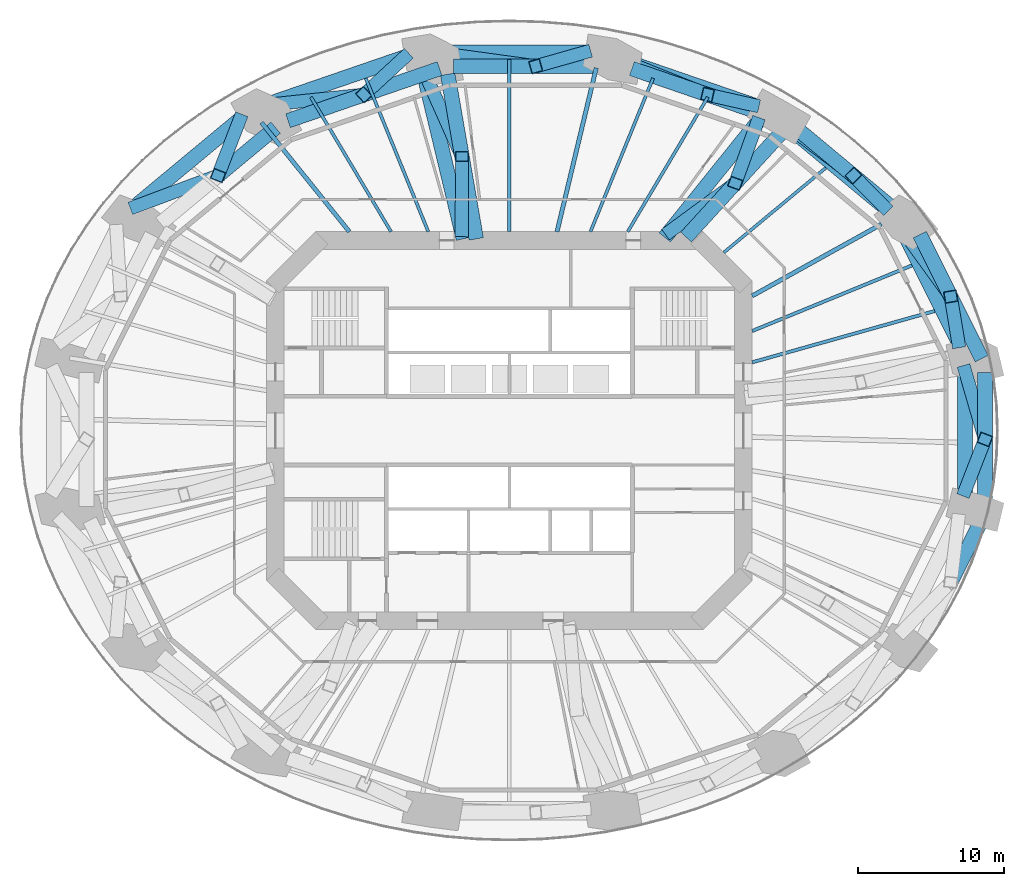
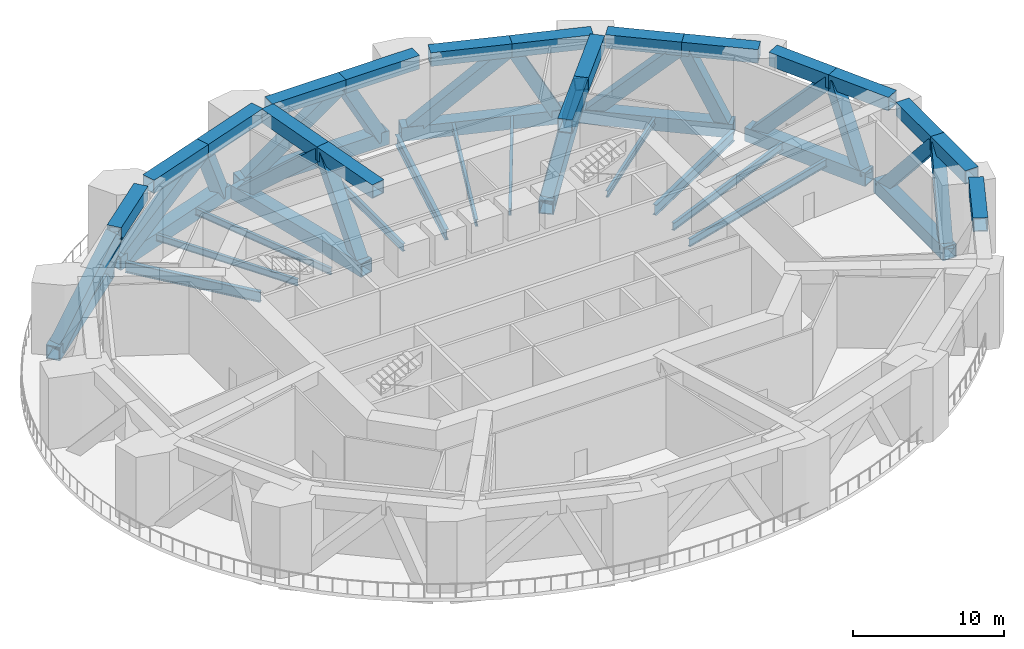
# One storey, part 3 of 12: 45 members, 11 beams.
"""IFC4 building model written with IfcOpenShell, lengths in metres."""

from ifc_helpers import new_model, si_unit, direction, frame, origin, origin_2d, place, context, subcontext, project, spatial, hollow_rectangle, i_section, extrude, material, material_profile, profile_set, type_object, element, save


model = new_model("IFC4")

# Units and contexts
model_context = context("Model", 3, precision=1e-05, world=origin(), true_north=direction((0.0, 1.0)))
body_context = subcontext(model_context, "Body", "Model", "MODEL_VIEW")
ifc_project = project(units=[si_unit("LENGTHUNIT", "METRE"), si_unit("AREAUNIT", "SQUARE_METRE"), si_unit("VOLUMEUNIT", "CUBIC_METRE"), si_unit("PLANEANGLEUNIT", "RADIAN"), si_unit("MASSUNIT", "GRAM", prefix="KILO")], contexts=[model_context])

# Site, building, storey
site_placement = place(None, origin())
site = spatial("IfcSite", under=ifc_project, at=site_placement, CompositionType="ELEMENT")
building_placement = place(site_placement, origin())
building = spatial("IfcBuilding", under=site, at=building_placement, Name="Marenthal Gate Tower", CompositionType="ELEMENT")
storey_placement = place(building_placement, frame((0.0, 0.0, 149.64990234375)))
storey = spatial("IfcBuildingStorey", under=building, at=storey_placement, Name="L32", CompositionType="ELEMENT", Elevation=149.64990234375)

# Beams
ifc_material_1 = material(Name="Steel S355", Category="steel")
ifc_material_profile_1 = material_profile(ifc_material_1, i_section(OverallWidth=0.2099609375, OverallDepth=0.535888671875, WebThickness=0.010986328125, FlangeThickness=0.017333984375, FilletRadius=0.0126953125, at=origin_2d()), Name="W530X101")
ifc_profile_set_1 = profile_set([ifc_material_profile_1], Name="Steel S355")
beam_type_1 = type_object("IfcBeamType", Name="W530X101 beam", PredefinedType="BEAM", material=ifc_profile_set_1)
beam_1_placement = place(storey_placement, frame((21.63623046875, 17.968017578125, -0.56787109375), z_axis=(-0.769315904911, -0.638868561169, 0.0), x_axis=(0.638868561169, -0.769315904911, 0.0)))
element("IfcBeam", 1, at=beam_1_placement, inside=storey, type_object=beam_type_1, Name="BM-L32-11", PredefinedType="BEAM", context=body_context, shape_type="SweptSolid", body=[
    extrude(i_section(OverallWidth=0.2099609375, OverallDepth=0.535888671875, WebThickness=0.010986328125, FlangeThickness=0.017333984375, FilletRadius=0.0126953125, at=origin_2d()), origin(), (0.0, 0.0, 1.0), 9.058349609375),
])
ifc_material_2 = material(Name="Steel S355", Category="steel")
ifc_material_profile_2 = material_profile(ifc_material_2, i_section(OverallWidth=0.2119140625, OverallDepth=0.5439453125, WebThickness=0.01318359375, FlangeThickness=0.021240234375, FilletRadius=0.0126953125, at=origin_2d()), Name="W530X123")
ifc_profile_set_2 = profile_set([ifc_material_profile_2], Name="Steel S355")
beam_type_2 = type_object("IfcBeamType", Name="W530X123 beam", PredefinedType="BEAM", material=ifc_profile_set_2)
beam_2_placement = place(storey_placement, frame((13.568359375, 22.8056640625, -0.572021484375), z_axis=(-0.511314756252, -0.859393518732, 0.0), x_axis=(0.859393518732, -0.511314756252, 0.0)))
element("IfcBeam", 2, at=beam_2_placement, inside=storey, type_object=beam_type_2, Name="BM-L32-12", PredefinedType="BEAM", context=body_context, shape_type="SweptSolid", body=[
    extrude(i_section(OverallWidth=0.2119140625, OverallDepth=0.5439453125, WebThickness=0.01318359375, FlangeThickness=0.021240234375, FilletRadius=0.0126953125, at=origin_2d()), origin(), (0.0, 0.0, 1.0), 10.711669921875),
])
for number, where, z_axis, x_axis, name in (
    (3, (9.823974609375, 24.09375, -0.572021484375), (-0.377552126987, -0.92598833222, 0.0), (0.92598833222, -0.377552126987, 0.0), "BM-L32-13"),
    (4, (-9.823974609375, 24.09375, -0.572021484375), (0.377552126987, -0.92598833222, 0.0), (0.92598833222, 0.377552126987, 0.0), "BM-L32-15"),
):
    element("IfcBeam", number, at=place(storey_placement, frame(where, z_axis=z_axis, x_axis=x_axis)), inside=storey, type_object=beam_type_2, Name=name, PredefinedType="BEAM", context=body_context, shape_type="SweptSolid", body=[
        extrude(i_section(OverallWidth=0.2119140625, OverallDepth=0.5439453125, WebThickness=0.01318359375, FlangeThickness=0.021240234375, FilletRadius=0.0126953125, at=origin_2d()), origin(), (0.0, 0.0, 1.0), 11.332275390625),
    ])
beam_3_placement = place(storey_placement, frame((-13.568359375, 22.8056640625, -0.572021484375), z_axis=(0.511314756252, -0.859393518732, 0.0), x_axis=(0.859393518732, 0.511314756252, 0.0)))
element("IfcBeam", 5, at=beam_3_placement, inside=storey, type_object=beam_type_2, Name="BM-L32-16", PredefinedType="BEAM", context=body_context, shape_type="SweptSolid", body=[
    extrude(i_section(OverallWidth=0.2119140625, OverallDepth=0.5439453125, WebThickness=0.01318359375, FlangeThickness=0.021240234375, FilletRadius=0.0126953125, at=origin_2d()), origin(), (0.0, 0.0, 1.0), 10.711669921875),
])
ifc_material_3 = material(Name="Steel S355", Category="steel")
ifc_material_profile_3 = material_profile(ifc_material_3, i_section(OverallWidth=0.22900390625, OverallDepth=0.612060546875, WebThickness=0.011962890625, FlangeThickness=0.01953125, FilletRadius=0.0126953125, at=origin_2d()), Name="W610X125")
ifc_profile_set_3 = profile_set([ifc_material_profile_3], Name="Steel S355")
beam_type_3 = type_object("IfcBeamType", Name="W610X125 beam", PredefinedType="BEAM", material=ifc_profile_set_3)
beam_4_placement = place(storey_placement, frame((29.080810546875, 8.177490234375, -0.60595703125), z_axis=(-0.962664589347, -0.270697041761, 0.0), x_axis=(0.270697041761, -0.962664589347, 0.0)))
element("IfcBeam", 6, at=beam_4_placement, inside=storey, type_object=beam_type_3, Name="BM-L32-09", PredefinedType="BEAM", context=body_context, shape_type="SweptSolid", body=[
    extrude(i_section(OverallWidth=0.22900390625, OverallDepth=0.612060546875, WebThickness=0.011962890625, FlangeThickness=0.01953125, FilletRadius=0.0126953125, at=origin_2d()), origin(), (0.0, 0.0, 1.0), 12.96484375),
])
beam_5_placement = place(storey_placement, frame((27.526123046875, 11.29443359375, -0.60595703125), z_axis=(-0.925148328631, -0.379605808743, 0.0), x_axis=(0.379605808743, -0.925148328631, 0.0)))
element("IfcBeam", 7, at=beam_5_placement, inside=storey, type_object=beam_type_3, Name="BM-L32-10", PredefinedType="BEAM", context=body_context, shape_type="SweptSolid", body=[
    extrude(i_section(OverallWidth=0.22900390625, OverallDepth=0.612060546875, WebThickness=0.011962890625, FlangeThickness=0.01953125, FilletRadius=0.0126953125, at=origin_2d()), origin(), (0.0, 0.0, 1.0), 11.81005859375),
])
beam_6_placement = place(storey_placement, frame((0.0, 25.3701171875, -0.60595703125), z_axis=(0.0, -1.0, 0.0), x_axis=(1.0, 0.0, 0.0)))
element("IfcBeam", 8, at=beam_6_placement, inside=storey, type_object=beam_type_3, Name="BM-L32-14", PredefinedType="BEAM", context=body_context, shape_type="SweptSolid", body=[
    extrude(i_section(OverallWidth=0.22900390625, OverallDepth=0.612060546875, WebThickness=0.011962890625, FlangeThickness=0.01953125, FilletRadius=0.0126953125, at=origin_2d()), origin(), (0.0, 0.0, 1.0), 11.77001953125),
])
ifc_material_4 = material(Name="Steel S355", Category="steel")
ifc_material_profile_4 = material_profile(ifc_material_4, i_section(OverallWidth=0.2919921875, OverallDepth=0.841064453125, WebThickness=0.0146484375, FlangeThickness=0.021728515625, FilletRadius=0.017822265625, at=origin_2d()), Name="W840X193")
ifc_profile_set_4 = profile_set([ifc_material_profile_4], Name="Steel S355")
beam_type_4 = type_object("IfcBeamType", Name="W840X193 beam", PredefinedType="BEAM", material=ifc_profile_set_4)
beam_7_placement = place(storey_placement, frame((25.43310546875, 14.11279296875, -0.720458984375), z_axis=(-0.87439315155, -0.485218112318, 0.0), x_axis=(0.485218112318, -0.87439315155, 0.0)))
element("IfcBeam", 9, at=beam_7_placement, inside=storey, type_object=beam_type_4, Name="BM-L32-01", PredefinedType="BEAM", context=body_context, shape_type="SweptSolid", body=[
    extrude(i_section(OverallWidth=0.2919921875, OverallDepth=0.841064453125, WebThickness=0.0146484375, FlangeThickness=0.021728515625, FilletRadius=0.017822265625, at=origin_2d()), origin(), (0.0, 0.0, 1.0), 10.101806640625),
])
beam_8_placement = place(storey_placement, frame((5.939697265625, 24.797607421875, -0.720458984375), z_axis=(-0.232939880808, -0.972491137198, 0.0), x_axis=(0.972491137198, -0.232939880808, 0.0)))
element("IfcBeam", 10, at=beam_8_placement, inside=storey, type_object=beam_type_4, Name="BM-L32-02", PredefinedType="BEAM", context=body_context, shape_type="SweptSolid", body=[
    extrude(i_section(OverallWidth=0.2919921875, OverallDepth=0.841064453125, WebThickness=0.0146484375, FlangeThickness=0.021728515625, FilletRadius=0.017822265625, at=origin_2d()), origin(), (0.0, 0.0, 1.0), 11.51416015625),
])
beam_9_placement = place(storey_placement, frame((-16.9462890625, 21.06201171875, -0.720458984375), z_axis=(0.626881112165, -0.779114928115, 0.0), x_axis=(0.779114928115, 0.626881112165, 0.0)))
element("IfcBeam", 11, at=beam_9_placement, inside=storey, type_object=beam_type_4, Name="BM-L32-03", PredefinedType="BEAM", context=body_context, shape_type="SweptSolid", body=[
    extrude(i_section(OverallWidth=0.2919921875, OverallDepth=0.841064453125, WebThickness=0.0146484375, FlangeThickness=0.021728515625, FilletRadius=0.017822265625, at=origin_2d()), origin(), (0.0, 0.0, 1.0), 9.577392578125),
])

# Members
ifc_material_5 = material(Name="Steel S460", Category="steel")
ifc_material_profile_5 = material_profile(ifc_material_5, hollow_rectangle(XDim=1.0, YDim=1.10009765625, WallThickness=0.070068359375, at=origin_2d()), Name="BOX 1100X1000X70")
ifc_profile_set_5 = profile_set([ifc_material_profile_5], Name="Steel S460")
member_type_1 = type_object("IfcMemberType", Name="belt chord BOX 1100X1000X70", PredefinedType="CHORD", material=ifc_profile_set_5)
member_1_placement = place(storey_placement, frame((30.916748046875, 5.616943359375, -0.849853515625), z_axis=(-0.446356728124, 0.89485511188, 0.0), x_axis=(-0.89485511188, -0.446356728124, 0.0)))
element("IfcMember", 12, at=member_1_placement, inside=storey, type_object=member_type_1, Name="BT-L32-01", PredefinedType="CHORD", context=body_context, shape_type="SweptSolid", body=[
    extrude(hollow_rectangle(XDim=1.0, YDim=1.10009765625, WallThickness=0.070068359375, at=origin_2d()), origin(), (0.0, 0.0, 1.0), 9.57568359375),
])
member_2_placement = place(storey_placement, frame((32.293701171875, 4.9228515625, 5.2001953125), z_axis=(-0.446286167884, 0.894890304091, 0.0), x_axis=(-0.894890304091, -0.446286167884, 0.0)))
element("IfcMember", 13, at=member_2_placement, inside=storey, type_object=member_type_1, Name="BT-L32-02", PredefinedType="CHORD", context=body_context, shape_type="SweptSolid", body=[
    extrude(hollow_rectangle(XDim=1.0, YDim=1.10009765625, WallThickness=0.070068359375, at=origin_2d()), origin(), (0.0, 0.0, 1.0), 4.73974609375),
])
member_3_placement = place(storey_placement, frame((30.178466796875, 9.164306640625, 5.2001953125), z_axis=(-0.446306845266, 0.894879991881, 0.0), x_axis=(-0.894879991881, -0.446306845266, 0.0)))
element("IfcMember", 14, at=member_3_placement, inside=storey, type_object=member_type_1, Name="BT-L32-03", PredefinedType="CHORD", context=body_context, shape_type="SweptSolid", body=[
    extrude(hollow_rectangle(XDim=1.0, YDim=1.10009765625, WallThickness=0.070068359375, at=origin_2d()), origin(), (0.0, 0.0, 1.0), 4.739990234375),
])
member_4_placement = place(storey_placement, frame((26.0087890625, 14.98681640625, -0.849853515625), z_axis=(-0.769308410826, 0.638877585326, 0.0), x_axis=(-0.638877585326, -0.769308410826, 0.0)))
element("IfcMember", 15, at=member_4_placement, inside=storey, type_object=member_type_1, Name="BT-L32-06", PredefinedType="CHORD", context=body_context, shape_type="SweptSolid", body=[
    extrude(hollow_rectangle(XDim=1.0, YDim=1.10009765625, WallThickness=0.070068359375, at=origin_2d()), origin(), (0.0, 0.0, 1.0), 10.35302734375),
])
member_5_placement = place(storey_placement, frame((27.460205078125, 14.16748046875, 5.2001953125), z_axis=(-0.76926712736, 0.6389272938, 0.0), x_axis=(-0.6389272938, -0.76926712736, 0.0)))
element("IfcMember", 16, at=member_5_placement, inside=storey, type_object=member_type_1, Name="BT-L32-07", PredefinedType="CHORD", context=body_context, shape_type="SweptSolid", body=[
    extrude(hollow_rectangle(XDim=1.0, YDim=1.10009765625, WallThickness=0.070068359375, at=origin_2d()), origin(), (0.0, 0.0, 1.0), 5.123046875),
])
member_6_placement = place(storey_placement, frame((23.519287109375, 17.440673828125, 5.2001953125), z_axis=(-0.769271096313, 0.638922515159, 0.0), x_axis=(-0.638922515159, -0.769271096313, 0.0)))
element("IfcMember", 17, at=member_6_placement, inside=storey, type_object=member_type_1, Name="BT-L32-08", PredefinedType="CHORD", context=body_context, shape_type="SweptSolid", body=[
    extrude(hollow_rectangle(XDim=1.0, YDim=1.10009765625, WallThickness=0.070068359375, at=origin_2d()), origin(), (0.0, 0.0, 1.0), 5.12255859375),
])
member_7_placement = place(storey_placement, frame((17.158447265625, 22.099365234375, -0.849853515625), z_axis=(-0.945616285836, 0.325284244871, 0.0), x_axis=(-0.325284244871, -0.945616285836, 0.0)))
element("IfcMember", 18, at=member_7_placement, inside=storey, type_object=member_type_1, Name="BT-L32-11", PredefinedType="CHORD", context=body_context, shape_type="SweptSolid", body=[
    extrude(hollow_rectangle(XDim=1.0, YDim=1.10009765625, WallThickness=0.070068359375, at=origin_2d()), origin(), (0.0, 0.0, 1.0), 11.078125),
])
member_8_placement = place(storey_placement, frame((18.736328125, 21.1875, 5.2001953125), z_axis=(-0.94559197138, 0.325354919528, 0.0), x_axis=(-0.325354919528, -0.94559197138, 0.0)))
element("IfcMember", 19, at=member_8_placement, inside=storey, type_object=member_type_1, Name="BT-L32-12", PredefinedType="CHORD", context=body_context, shape_type="SweptSolid", body=[
    extrude(hollow_rectangle(XDim=1.0, YDim=1.10009765625, WallThickness=0.070068359375, at=origin_2d()), origin(), (0.0, 0.0, 1.0), 5.47998046875),
])
member_9_placement = place(storey_placement, frame((13.554443359375, 22.970458984375, 5.2001953125), z_axis=(-0.945610391529, 0.32530137939, 0.0), x_axis=(-0.32530137939, -0.945610391529, 0.0)))
element("IfcMember", 20, at=member_9_placement, inside=storey, type_object=member_type_1, Name="BT-L32-13", PredefinedType="CHORD", context=body_context, shape_type="SweptSolid", body=[
    extrude(hollow_rectangle(XDim=1.0, YDim=1.10009765625, WallThickness=0.070068359375, at=origin_2d()), origin(), (0.0, 0.0, 1.0), 5.480224609375),
])
member_10_placement = place(storey_placement, frame((5.682861328125, 25.8701171875, -0.849853515625), z_axis=(-1.0, 0.0, 0.0), x_axis=(0.0, -1.0, 0.0)))
element("IfcMember", 21, at=member_10_placement, inside=storey, type_object=member_type_1, Name="BT-L32-16", PredefinedType="CHORD", context=body_context, shape_type="SweptSolid", body=[
    extrude(hollow_rectangle(XDim=1.0, YDim=1.10009765625, WallThickness=0.070068359375, at=origin_2d()), origin(), (0.0, 0.0, 1.0), 11.36572265625),
])
for number, where, z_axis, x_axis, name in (
    (22, (7.421875, 24.912109375, 5.2001953125), (-1.0, 0.0, 0.0), (0.0, -1.0, 0.0), "BT-L32-17"),
    (23, (1.800048828125, 24.912109375, 5.2001953125), (-1.0, 0.0, 0.0), (0.0, -1.0, 0.0), "BT-L32-18"),
):
    element("IfcMember", number, at=place(storey_placement, frame(where, z_axis=z_axis, x_axis=x_axis)), inside=storey, type_object=member_type_1, Name=name, PredefinedType="CHORD", context=body_context, shape_type="SweptSolid", body=[
        extrude(hollow_rectangle(XDim=1.0, YDim=1.10009765625, WallThickness=0.070068359375, at=origin_2d()), origin(), (0.0, 0.0, 1.0), 5.621826171875),
    ])
member_11_placement = place(storey_placement, frame((-6.682861328125, 25.702880859375, -0.849853515625), z_axis=(-0.945616285836, -0.325284244871, 0.0), x_axis=(0.325284244871, -0.945616285836, 0.0)))
element("IfcMember", 24, at=member_11_placement, inside=storey, type_object=member_type_1, Name="BT-L32-21", PredefinedType="CHORD", context=body_context, shape_type="SweptSolid", body=[
    extrude(hollow_rectangle(XDim=1.0, YDim=1.10009765625, WallThickness=0.070068359375, at=origin_2d()), origin(), (0.0, 0.0, 1.0), 11.078125),
])
for number, where, z_axis, x_axis, name in (
    (25, (-4.772216796875, 24.753173828125, 5.2001953125), (-0.945610391529, -0.32530137939, 0.0), (0.32530137939, -0.945610391529, 0.0), "BT-L32-22"),
    (26, (-9.954345703125, 22.970458984375, 5.2001953125), (-0.94559668705, -0.325341213866, 0.0), (0.325341213866, -0.94559668705, 0.0), "BT-L32-23"),
):
    element("IfcMember", number, at=place(storey_placement, frame(where, z_axis=z_axis, x_axis=x_axis)), inside=storey, type_object=member_type_1, Name=name, PredefinedType="CHORD", context=body_context, shape_type="SweptSolid", body=[
        extrude(hollow_rectangle(XDim=1.0, YDim=1.10009765625, WallThickness=0.070068359375, at=origin_2d()), origin(), (0.0, 0.0, 1.0), 5.480224609375),
    ])
member_12_placement = place(storey_placement, frame((-18.044189453125, 21.60107421875, -0.849853515625), z_axis=(-0.769308410826, -0.638877585326, 0.0), x_axis=(0.638877585326, -0.769308410826, 0.0)))
element("IfcMember", 27, at=member_12_placement, inside=storey, type_object=member_type_1, Name="BT-L32-26", PredefinedType="CHORD", context=body_context, shape_type="SweptSolid", body=[
    extrude(hollow_rectangle(XDim=1.0, YDim=1.10009765625, WallThickness=0.070068359375, at=origin_2d()), origin(), (0.0, 0.0, 1.0), 10.35302734375),
])
member_13_placement = place(storey_placement, frame((-15.978515625, 20.713623046875, 5.2001953125), z_axis=(-0.769290550876, -0.638899090884, 0.0), x_axis=(0.638899090884, -0.769290550876, 0.0)))
element("IfcMember", 28, at=member_13_placement, inside=storey, type_object=member_type_1, Name="BT-L32-27", PredefinedType="CHORD", context=body_context, shape_type="SweptSolid", body=[
    extrude(hollow_rectangle(XDim=1.0, YDim=1.10009765625, WallThickness=0.070068359375, at=origin_2d()), origin(), (0.0, 0.0, 1.0), 5.122802734375),
])
member_14_placement = place(storey_placement, frame((30.178466796875, -10.364501953125, 5.2001953125), z_axis=(0.446265596634, 0.894900562778, 0.0), x_axis=(-0.894900562778, 0.446265596634, 0.0)))
element("IfcMember", 29, at=member_14_placement, inside=storey, type_object=member_type_1, Name="BT-L32-73", PredefinedType="CHORD", context=body_context, shape_type="SweptSolid", body=[
    extrude(hollow_rectangle(XDim=1.0, YDim=1.10009765625, WallThickness=0.070068359375, at=origin_2d()), origin(), (0.0, 0.0, 1.0), 4.73974609375),
])
member_15_placement = place(storey_placement, frame((31.151611328125, -4.61767578125, -0.849853515625), z_axis=(0.0, 1.0, 0.0), x_axis=(-1.0, 0.0, 0.0)))
element("IfcMember", 30, at=member_15_placement, inside=storey, type_object=member_type_1, Name="BT-L32-76", PredefinedType="CHORD", context=body_context, shape_type="SweptSolid", body=[
    extrude(hollow_rectangle(XDim=1.0, YDim=1.10009765625, WallThickness=0.070068359375, at=origin_2d()), origin(), (0.0, 0.0, 1.0), 9.2353515625),
])
member_16_placement = place(storey_placement, frame((32.51708984375, -5.172119140625, 5.2001953125), z_axis=(0.0, 1.0, 0.0), x_axis=(-1.0, 0.0, 0.0)))
element("IfcMember", 31, at=member_16_placement, inside=storey, type_object=member_type_1, Name="BT-L32-77", PredefinedType="CHORD", context=body_context, shape_type="SweptSolid", body=[
    extrude(hollow_rectangle(XDim=1.0, YDim=1.10009765625, WallThickness=0.070068359375, at=origin_2d()), origin(), (0.0, 0.0, 1.0), 4.572021484375),
])
member_17_placement = place(storey_placement, frame((32.51708984375, -0.60009765625, 5.2001953125), z_axis=(0.0, 1.0, 0.0), x_axis=(-1.0, 0.0, 0.0)))
element("IfcMember", 32, at=member_17_placement, inside=storey, type_object=member_type_1, Name="BT-L32-78", PredefinedType="CHORD", context=body_context, shape_type="SweptSolid", body=[
    extrude(hollow_rectangle(XDim=1.0, YDim=1.10009765625, WallThickness=0.070068359375, at=origin_2d()), origin(), (0.0, 0.0, 1.0), 4.572265625),
])
ifc_material_6 = material(Name="Steel S355", Category="steel")
ifc_material_profile_6 = material_profile(ifc_material_6, hollow_rectangle(XDim=0.89990234375, YDim=0.89990234375, WallThickness=0.050048828125, at=origin_2d()), Name="BOX 900X900X50")
ifc_profile_set_6 = profile_set([ifc_material_profile_6], Name="Steel S355")
member_type_2 = type_object("IfcMemberType", Name="belt diagonal BOX 900X900X50", PredefinedType="BRACE", material=ifc_profile_set_6)
member_18_placement = place(storey_placement, frame((30.693603515625, 6.064453125, -0.849853515625), z_axis=(-0.075561557481, 0.45469435798, 0.887436472009), x_axis=(-0.986471506956, -0.1639328093, 0.0)))
element("IfcMember", 33, at=member_18_placement, inside=storey, type_object=member_type_2, Name="BT-L32-04", PredefinedType="BRACE", context=body_context, shape_type="SweptSolid", body=[
    extrude(hollow_rectangle(XDim=0.89990234375, YDim=0.89990234375, WallThickness=0.050048828125, at=origin_2d()), origin(), (0.0, 0.0, 1.0), 6.8173828125),
])
member_19_placement = place(storey_placement, frame((30.178466796875, 9.164306640625, 5.2001953125), z_axis=(-0.400239678178, 0.552659962461, -0.731009689337), x_axis=(-0.809915919653, -0.586545994014, 0.0)))
element("IfcMember", 34, at=member_19_placement, inside=storey, type_object=member_type_2, Name="BT-L32-05", PredefinedType="BRACE", context=body_context, shape_type="SweptSolid", body=[
    extrude(hollow_rectangle(XDim=0.89990234375, YDim=0.89990234375, WallThickness=0.050048828125, at=origin_2d()), origin(), (0.0, 0.0, 1.0), 8.2763671875),
])
member_20_placement = place(storey_placement, frame((25.6240234375, 15.30615234375, -0.849853515625), z_axis=(-0.311721508763, 0.316132832747, 0.896041144722), x_axis=(-0.71205736008, -0.702121297181, 0.0)))
element("IfcMember", 35, at=member_20_placement, inside=storey, type_object=member_type_2, Name="BT-L32-09", PredefinedType="BRACE", context=body_context, shape_type="SweptSolid", body=[
    extrude(hollow_rectangle(XDim=0.89990234375, YDim=0.89990234375, WallThickness=0.050048828125, at=origin_2d()), origin(), (0.0, 0.0, 1.0), 6.751953125),
])
member_21_placement = place(storey_placement, frame((23.519287109375, 17.440673828125, 5.2001953125), z_axis=(-0.579096007636, 0.436946685474, -0.688277130227), x_axis=(-0.602313015007, -0.798260002727, 0.0)))
element("IfcMember", 36, at=member_21_placement, inside=storey, type_object=member_type_2, Name="BT-L32-10", PredefinedType="BRACE", context=body_context, shape_type="SweptSolid", body=[
    extrude(hollow_rectangle(XDim=0.89990234375, YDim=0.89990234375, WallThickness=0.050048828125, at=origin_2d()), origin(), (0.0, 0.0, 1.0), 8.7900390625),
])
member_22_placement = place(storey_placement, frame((16.685791015625, 22.261962890625, -0.849853515625), z_axis=(-0.457190017806, 0.103443429882, 0.883332748421), x_axis=(-0.220680977737, -0.975346044266, 0.0)))
element("IfcMember", 37, at=member_22_placement, inside=storey, type_object=member_type_2, Name="BT-L32-14", PredefinedType="BRACE", context=body_context, shape_type="SweptSolid", body=[
    extrude(hollow_rectangle(XDim=0.89990234375, YDim=0.89990234375, WallThickness=0.050048828125, at=origin_2d()), origin(), (0.0, 0.0, 1.0), 6.84912109375),
])
member_23_placement = place(storey_placement, frame((13.554443359375, 22.970458984375, 5.2001953125), z_axis=(-0.697543663755, 0.280135238637, -0.659512763507), x_axis=(-0.372672224785, -0.927963044994, 0.0)))
element("IfcMember", 38, at=member_23_placement, inside=storey, type_object=member_type_2, Name="BT-L32-15", PredefinedType="BRACE", context=body_context, shape_type="SweptSolid", body=[
    extrude(hollow_rectangle(XDim=0.89990234375, YDim=0.89990234375, WallThickness=0.050048828125, at=origin_2d()), origin(), (0.0, 0.0, 1.0), 9.173583984375),
])
member_24_placement = place(storey_placement, frame((5.182861328125, 25.8701171875, -0.849853515625), z_axis=(-0.48343511752, -0.136908155395, 0.864607797868), x_axis=(0.272482581435, -0.962160715689, 0.0)))
element("IfcMember", 39, at=member_24_placement, inside=storey, type_object=member_type_2, Name="BT-L32-19", PredefinedType="BRACE", context=body_context, shape_type="SweptSolid", body=[
    extrude(hollow_rectangle(XDim=0.89990234375, YDim=0.89990234375, WallThickness=0.050048828125, at=origin_2d()), origin(), (0.0, 0.0, 1.0), 6.99755859375),
])
member_25_placement = place(storey_placement, frame((1.800048828125, 24.912109375, 5.2001953125), z_axis=(-0.75175546532, 0.103135740365, -0.651326906723), x_axis=(-0.135920024624, -0.990719812513, 0.0)))
element("IfcMember", 40, at=member_25_placement, inside=storey, type_object=member_type_2, Name="BT-L32-20", PredefinedType="BRACE", context=body_context, shape_type="SweptSolid", body=[
    extrude(hollow_rectangle(XDim=0.89990234375, YDim=0.89990234375, WallThickness=0.050048828125, at=origin_2d()), origin(), (0.0, 0.0, 1.0), 9.288818359375),
])
member_26_placement = place(storey_placement, frame((-7.155517578125, 25.540283203125, -0.849853515625), z_axis=(-0.391758707192, -0.359704479405, 0.84683989209), x_axis=(0.676329593564, -0.736599131733, 0.0)))
element("IfcMember", 41, at=member_26_placement, inside=storey, type_object=member_type_2, Name="BT-L32-24", PredefinedType="BRACE", context=body_context, shape_type="SweptSolid", body=[
    extrude(hollow_rectangle(XDim=0.89990234375, YDim=0.89990234375, WallThickness=0.050048828125, at=origin_2d()), origin(), (0.0, 0.0, 1.0), 7.144287109375),
])
member_27_placement = place(storey_placement, frame((-9.954345703125, 22.970458984375, 5.2001953125), z_axis=(-0.741478958572, -0.078041924335, -0.666422097504), x_axis=(0.104673518987, -0.994506638702, 0.0)))
element("IfcMember", 42, at=member_27_placement, inside=storey, type_object=member_type_2, Name="BT-L32-25", PredefinedType="BRACE", context=body_context, shape_type="SweptSolid", body=[
    extrude(hollow_rectangle(XDim=0.89990234375, YDim=0.89990234375, WallThickness=0.050048828125, at=origin_2d()), origin(), (0.0, 0.0, 1.0), 9.078369140625),
])
member_28_placement = place(storey_placement, frame((-18.428955078125, 21.281494140625, -0.849853515625), z_axis=(-0.203628461072, -0.524731031873, 0.826554773763), x_axis=(0.932264663105, -0.361777000271, 0.0)))
element("IfcMember", 43, at=member_28_placement, inside=storey, type_object=member_type_2, Name="BT-L32-29", PredefinedType="BRACE", context=body_context, shape_type="SweptSolid", body=[
    extrude(hollow_rectangle(XDim=0.89990234375, YDim=0.89990234375, WallThickness=0.050048828125, at=origin_2d()), origin(), (0.0, 0.0, 1.0), 7.319580078125),
])
member_29_placement = place(storey_placement, frame((-19.91943359375, 17.440673828125, 5.2001953125), z_axis=(-0.664486119049, -0.248634860004, -0.704726119838), x_axis=(0.350446878356, -0.936582610051, 0.0)))
element("IfcMember", 44, at=member_29_placement, inside=storey, type_object=member_type_2, Name="BT-L32-30", PredefinedType="BRACE", context=body_context, shape_type="SweptSolid", body=[
    extrude(hollow_rectangle(XDim=0.89990234375, YDim=0.89990234375, WallThickness=0.050048828125, at=origin_2d()), origin(), (0.0, 0.0, 1.0), 8.5849609375),
])
member_30_placement = place(storey_placement, frame((31.151611328125, -4.11767578125, -0.849853515625), z_axis=(0.191504031956, 0.493329177977, 0.84850016376), x_axis=(-0.932225490969, 0.361877926915, 0.0)))
element("IfcMember", 45, at=member_30_placement, inside=storey, type_object=member_type_2, Name="BT-L32-79", PredefinedType="BRACE", context=body_context, shape_type="SweptSolid", body=[
    extrude(hollow_rectangle(XDim=0.89990234375, YDim=0.89990234375, WallThickness=0.050048828125, at=origin_2d()), origin(), (0.0, 0.0, 1.0), 7.13037109375),
])
member_31_placement = place(storey_placement, frame((32.51708984375, -0.60009765625, 5.2001953125), z_axis=(-0.175227021475, 0.605415155191, -0.776381337237), x_axis=(-0.960574745481, -0.278021866667, 0.0)))
element("IfcMember", 46, at=member_31_placement, inside=storey, type_object=member_type_2, Name="BT-L32-80", PredefinedType="BRACE", context=body_context, shape_type="SweptSolid", body=[
    extrude(hollow_rectangle(XDim=0.89990234375, YDim=0.89990234375, WallThickness=0.050048828125, at=origin_2d()), origin(), (0.0, 0.0, 1.0), 7.792724609375),
])
ifc_material_7 = material(Name="Steel S460", Category="steel")
ifc_material_profile_7 = material_profile(ifc_material_7, hollow_rectangle(XDim=1.0, YDim=1.10009765625, WallThickness=0.070068359375, at=origin_2d()), Name="BOX 1100X1000X70")
ifc_profile_set_7 = profile_set([ifc_material_profile_7], Name="Steel S460")
member_type_3 = type_object("IfcMemberType", Name="outrigger chord BOX 1100X1000X70", PredefinedType="CHORD", material=ifc_profile_set_7)
member_32_placement = place(storey_placement, frame((17.259521484375, 21.45166015625, -0.849853515625), z_axis=(-0.626862832539, -0.779129635671, 0.0), x_axis=(0.779129635671, -0.626862832539, 0.0)))
element("IfcMember", 47, at=member_32_placement, inside=storey, type_object=member_type_3, Name="OR-L32-86", PredefinedType="CHORD", context=body_context, shape_type="SweptSolid", body=[
    extrude(hollow_rectangle(XDim=1.0, YDim=1.10009765625, WallThickness=0.070068359375, at=origin_2d()), origin(), (0.0, 0.0, 1.0), 10.577392578125),
])
for number, where, z_axis, x_axis, name in (
    (48, (18.809326171875, 20.600341796875, 5.2001953125), (-0.674280965495, -0.738474901111, 0.0), (0.738474901111, -0.674280965495, 0.0), "OR-L32-87"),
    (49, (15.44482421875, 16.91552734375, 5.2001953125), (-0.674280965495, -0.738474901111, 0.0), (0.738474901111, -0.674280965495, 0.0), "OR-L32-88"),
):
    element("IfcMember", number, at=place(storey_placement, frame(where, z_axis=z_axis, x_axis=x_axis)), inside=storey, type_object=member_type_3, Name=name, PredefinedType="CHORD", context=body_context, shape_type="SweptSolid", body=[
        extrude(hollow_rectangle(XDim=1.0, YDim=1.10009765625, WallThickness=0.070068359375, at=origin_2d()), origin(), (0.0, 0.0, 1.0), 4.98974609375),
    ])
member_33_placement = place(storey_placement, frame((-6.05615234375, 25.283935546875, -0.849853515625), z_axis=(0.232934645638, -0.972492391159, 0.0), x_axis=(0.972492391159, 0.232934645638, 0.0)))
element("IfcMember", 50, at=member_33_placement, inside=storey, type_object=member_type_3, Name="OR-L32-91", PredefinedType="CHORD", context=body_context, shape_type="SweptSolid", body=[
    extrude(hollow_rectangle(XDim=1.0, YDim=1.10009765625, WallThickness=0.070068359375, at=origin_2d()), origin(), (0.0, 0.0, 1.0), 12.514404296875),
])
for number, where, z_axis, x_axis, name in (
    (51, (-4.21630859375, 24.3701171875, 5.2001953125), (0.170491980557, -0.985359063776, 0.0), (0.985359063776, 0.170491980557, 0.0), "OR-L32-92"),
    (52, (-3.241943359375, 18.73876953125, 5.2001953125), (0.170491980557, -0.985359063776, 0.0), (0.985359063776, 0.170491980557, 0.0), "OR-L32-93"),
):
    element("IfcMember", number, at=place(storey_placement, frame(where, z_axis=z_axis, x_axis=x_axis)), inside=storey, type_object=member_type_3, Name=name, PredefinedType="CHORD", context=body_context, shape_type="SweptSolid", body=[
        extrude(hollow_rectangle(XDim=1.0, YDim=1.10009765625, WallThickness=0.070068359375, at=origin_2d()), origin(), (0.0, 0.0, 1.0), 5.715087890625),
    ])
ifc_material_8 = material(Name="Steel S355", Category="steel")
ifc_material_profile_8 = material_profile(ifc_material_8, hollow_rectangle(XDim=0.89990234375, YDim=0.89990234375, WallThickness=0.050048828125, at=origin_2d()), Name="BOX 900X900X50")
ifc_profile_set_8 = profile_set([ifc_material_profile_8], Name="Steel S355")
member_type_4 = type_object("IfcMemberType", Name="outrigger diagonal BOX 900X900X50", PredefinedType="BRACE", material=ifc_profile_set_8)
member_34_placement = place(storey_placement, frame((16.9462890625, 21.06201171875, -0.849853515625), z_axis=(-0.200550699863, -0.55384603032, 0.808105185903), x_axis=(0.940254849971, -0.340471462984, 0.0)))
element("IfcMember", 53, at=member_34_placement, inside=storey, type_object=member_type_4, Name="OR-L32-89", PredefinedType="BRACE", context=body_context, shape_type="SweptSolid", body=[
    extrude(hollow_rectangle(XDim=0.89990234375, YDim=0.89990234375, WallThickness=0.050048828125, at=origin_2d()), origin(), (0.0, 0.0, 1.0), 7.48681640625),
])
member_35_placement = place(storey_placement, frame((15.44482421875, 16.91552734375, 5.2001953125), z_axis=(-0.546535384337, -0.402448244187, -0.734393957231), x_axis=(0.592948787621, -0.805240172408, 0.0)))
element("IfcMember", 54, at=member_35_placement, inside=storey, type_object=member_type_4, Name="OR-L32-90", PredefinedType="BRACE", context=body_context, shape_type="SweptSolid", body=[
    extrude(hollow_rectangle(XDim=0.89990234375, YDim=0.89990234375, WallThickness=0.050048828125, at=origin_2d()), origin(), (0.0, 0.0, 1.0), 8.238037109375),
])
member_36_placement = place(storey_placement, frame((-5.939697265625, 24.797607421875, -0.849853515625), z_axis=(0.300511052303, -0.674912469232, 0.6739334287), x_axis=(0.913535066016, 0.406759982249, 0.0)))
element("IfcMember", 55, at=member_36_placement, inside=storey, type_object=member_type_4, Name="OR-L32-94", PredefinedType="BRACE", context=body_context, shape_type="SweptSolid", body=[
    extrude(hollow_rectangle(XDim=0.89990234375, YDim=0.89990234375, WallThickness=0.050048828125, at=origin_2d()), origin(), (0.0, 0.0, 1.0), 8.977294921875),
])
member_37_placement = place(storey_placement, frame((-3.241943359375, 18.73876953125, 5.2001953125), z_axis=(-0.001968419937, -0.64736410677, -0.762178350906), x_axis=(0.999995377198, -0.003040654891, 0.0)))
element("IfcMember", 56, at=member_37_placement, inside=storey, type_object=member_type_4, Name="OR-L32-95", PredefinedType="BRACE", context=body_context, shape_type="SweptSolid", body=[
    extrude(hollow_rectangle(XDim=0.89990234375, YDim=0.89990234375, WallThickness=0.050048828125, at=origin_2d()), origin(), (0.0, 0.0, 1.0), 7.937744140625),
])

save(model, "model.ifc")
